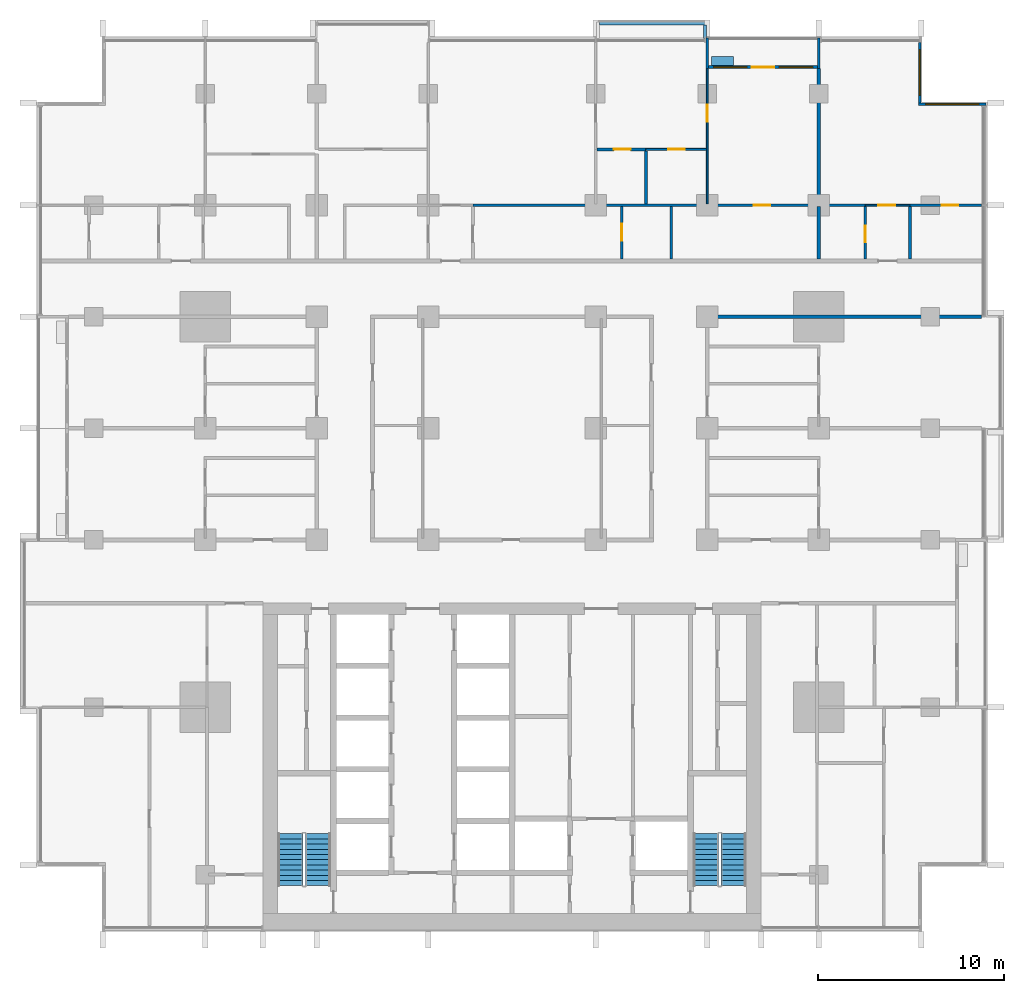
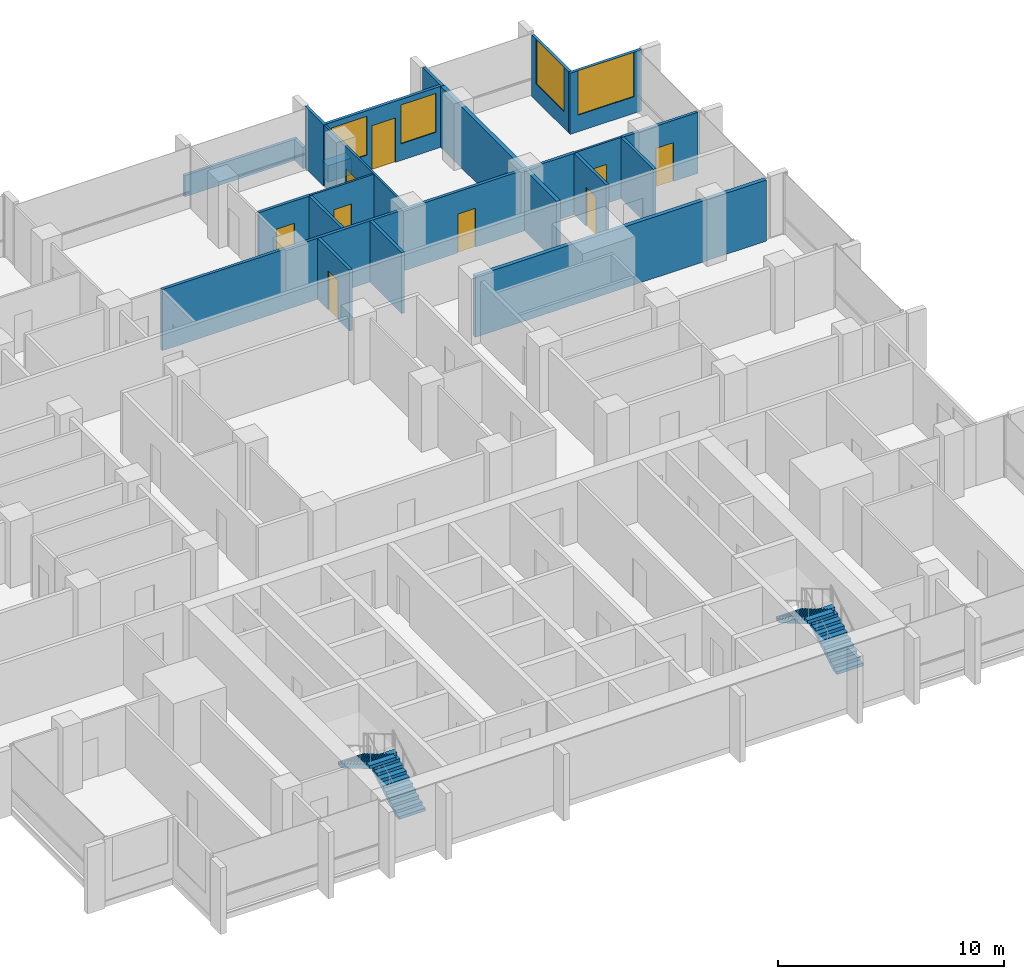
# One storey, part 12 of 17: 22 walls, 9 doors, 4 stair flights, 4 windows, 13 openings, 2 elements without a shape of their own.
"""IFC4 building model written with IfcOpenShell, lengths in metres."""

import ifcopenshell
import ifcopenshell.guid

model = None  # the IFC model being written
_history = None  # IfcOwnerHistory: only IFC2X3 demands one
_inside = {}  # id of a spatial element -> (the spatial element, [elements in it])
_under = {}  # id of a project, library or spatial element -> (it, [spatial elements below it])
_declared = {}  # id of a project -> (the project, [libraries it declares])
_typed = {}  # id of a type object -> (the type object, [elements of that type])
_made_of = {}  # id of a material, layer set ... -> (it, [elements and type objects made of it])


def new_model(schema):
    """Start an empty IFC model of exactly this schema.

    Asked for "IFC4X3", IfcOpenShell would pick the latest addendum, in which some entities
    have other attributes; the version numbers below select the first issue.
    IFC2X3 requires an IfcOwnerHistory on every rooted entity: one is made here for all.
    """
    global model, _history
    if schema == "IFC4X3":
        model = ifcopenshell.file(schema_version=(4, 3, 0, 0))
    else:
        model = ifcopenshell.file(schema=schema)
    _inside.clear()
    _under.clear()
    _declared.clear()
    _typed.clear()
    _made_of.clear()
    _history = None
    if model.schema == "IFC2X3":
        org = make("IfcOrganization", Name="unknown")
        user = make(
            "IfcPersonAndOrganization",
            ThePerson=make("IfcPerson", FamilyName="unknown"),
            TheOrganization=org,
        )
        app = make(
            "IfcApplication",
            ApplicationDeveloper=org,
            Version="unknown",
            ApplicationFullName="unknown",
            ApplicationIdentifier="unknown",
        )
        _history = make(
            "IfcOwnerHistory",
            OwningUser=user,
            OwningApplication=app,
            ChangeAction="ADDED",
            CreationDate=0,
        )
    return model


def make(cls, **values):
    """One entity of the class cls with the attributes given. An attribute that is None is left unset."""
    return model.create_entity(
        cls, **{name: value for name, value in values.items() if value is not None}
    )


def rooted(cls, **values):
    """An entity with a GlobalId (a new one), such as an element, a storey or a relation."""
    return make(cls, GlobalId=ifcopenshell.guid.new(), OwnerHistory=_history, **values)


def si_unit(unit_type, name, prefix=None):
    """IfcSIUnit, for example si_unit("LENGTHUNIT", "METRE", prefix="MILLI")."""
    return make("IfcSIUnit", UnitType=unit_type, Prefix=prefix, Name=name)


def assignment(units):
    """IfcUnitAssignment: the units of a project."""
    return None if units is None else make("IfcUnitAssignment", Units=units)


def point(xyz):
    """IfcCartesianPoint."""
    return None if xyz is None else make("IfcCartesianPoint", Coordinates=xyz)


def direction(xyz):
    """IfcDirection."""
    return None if xyz is None else make("IfcDirection", DirectionRatios=xyz)


def frame(location, z_axis=None, x_axis=None):
    """IfcAxis2Placement3D, a coordinate frame: its origin and axes. An axis left out is left unset."""
    return make(
        "IfcAxis2Placement3D",
        Location=point(location),
        Axis=direction(z_axis),
        RefDirection=direction(x_axis),
    )


def frame_2d(location, x_axis=None):
    """IfcAxis2Placement2D, a coordinate frame in the plane: its origin and x axis."""
    return make(
        "IfcAxis2Placement2D", Location=point(location), RefDirection=direction(x_axis)
    )


def origin():
    """The frame at (0, 0, 0) with its axes left unset."""
    return frame((0.0, 0.0, 0.0))


def place(relative_to, where):
    """IfcLocalPlacement: puts the frame where relative to a parent placement (None: the world)."""
    return make(
        "IfcLocalPlacement", PlacementRelTo=relative_to, RelativePlacement=where
    )


def context(
    kind, dimensions, precision=None, world=None, true_north=None, identifier=None
):
    """IfcGeometricRepresentationContext, for example the 3D "Model" context."""
    return make(
        "IfcGeometricRepresentationContext",
        ContextIdentifier=identifier,
        ContextType=kind,
        CoordinateSpaceDimension=dimensions,
        Precision=precision,
        WorldCoordinateSystem=world,
        TrueNorth=true_north,
    )


def subcontext(parent, identifier, kind, view, scale=None):
    """IfcGeometricRepresentationSubContext, for example "Body" below "Model"."""
    return make(
        "IfcGeometricRepresentationSubContext",
        ContextIdentifier=identifier,
        ContextType=kind,
        ParentContext=parent,
        TargetScale=scale,
        TargetView=view,
    )


def project(units=None, contexts=None):
    """IfcProject with its units and contexts."""
    return rooted(
        "IfcProject",
        Name="project",
        RepresentationContexts=contexts,
        UnitsInContext=assignment(units),
    )


def spatial(cls, under=None, at=None, **own):
    """A site, building, storey or space (cls), placed at a placement, below another one or the project."""
    s = rooted(cls, ObjectPlacement=at, **own)
    if under is not None:
        _under.setdefault(under.id(), (under, []))[1].append(s)
    return s


def polyline(points):
    """IfcPolyline through the points."""
    return make("IfcPolyline", Points=[point(p) for p in points])


def profile(cls, at=None, kind="AREA", **sizes):
    """A parametric profile (cls). Its sizes go by their IFC names, for example OverallWidth=200.0."""
    return make(cls, ProfileType=kind, Position=at, **sizes)


def rectangle(**sizes):
    """IfcRectangleProfileDef."""
    return profile("IfcRectangleProfileDef", **sizes)


def outline(outer, holes=None, kind="AREA"):
    """IfcArbitraryClosedProfileDef: a profile drawn as a closed curve; with holes, ...WithVoids."""
    if holes is None:
        return make("IfcArbitraryClosedProfileDef", ProfileType=kind, OuterCurve=outer)
    return make(
        "IfcArbitraryProfileDefWithVoids",
        ProfileType=kind,
        OuterCurve=outer,
        InnerCurves=holes,
    )


def extrude(swept, where, along, depth):
    """IfcExtrudedAreaSolid: the profile swept, set in the frame where, extruded along a direction by depth."""
    return make(
        "IfcExtrudedAreaSolid",
        SweptArea=swept,
        Position=where,
        ExtrudedDirection=direction(along),
        Depth=depth,
    )


def shape(context_of_items, identifier, shape_type, items):
    """IfcShapeRepresentation: the items that make up one representation, for example the "Body"."""
    return make(
        "IfcShapeRepresentation",
        ContextOfItems=context_of_items,
        RepresentationIdentifier=identifier,
        RepresentationType=shape_type,
        Items=items,
    )


def material(Name=None, Category=None):
    """IfcMaterial."""
    return make("IfcMaterial", Name=Name, Category=Category)


def layer(
    of_material, thickness, ventilated=None, Name=None, Category=None, Priority=None
):
    """IfcMaterialLayer: one layer of a wall or slab, of a material (None: an air gap)."""
    return make(
        "IfcMaterialLayer",
        Material=of_material,
        LayerThickness=thickness,
        IsVentilated=ventilated,
        Name=Name,
        Category=Category,
        Priority=Priority,
    )


def layer_set(layers, Name=None):
    """IfcMaterialLayerSet."""
    return make("IfcMaterialLayerSet", MaterialLayers=layers, LayerSetName=Name)


def made_of(thing, what):
    """Note that an element or type object is made of a material, layer set ...; save() writes the relation."""
    if what is not None:
        _made_of.setdefault(what.id(), (what, []))[1].append(thing)
    return thing


def type_object(cls, material=None, **own):
    """A type object (cls), such as IfcWallType, which elements share."""
    return made_of(rooted(cls, **own), material)


def element(
    cls,
    number,
    at=None,
    inside=None,
    cuts=None,
    type_object=None,
    material=None,
    context=None,
    identifier="Body",
    shape_type=None,
    held_by="IfcProductDefinitionShape",
    body=None,
    shapes=None,
    **own,
):
    """One element of the class cls, such as IfcWall. Its Tag is "e" and its number.

    at: its placement. inside: the storey or other place that contains it. cuts: it is an
    opening in that element (IfcRelVoidsElement). A single representation is given by context,
    identifier, shape_type and body (its items); several are given by shapes. held_by: the class
    of the entity that holds the representations. save() writes the other relations.
    """
    e = rooted(cls, Tag="e%d" % number, ObjectPlacement=at, **own)
    if body is not None:
        shapes = [shape(context, identifier, shape_type, body)]
    if shapes is not None:
        e.Representation = make(held_by, Representations=shapes)
    if inside is not None:
        _inside.setdefault(inside.id(), (inside, []))[1].append(e)
    if cuts is not None:
        rooted(
            "IfcRelVoidsElement", RelatingBuildingElement=cuts, RelatedOpeningElement=e
        )
    if type_object is not None:
        _typed.setdefault(type_object.id(), (type_object, []))[1].append(e)
    return made_of(e, material)


def fill(opening, filler):
    """IfcRelFillsElement: the door or window that sits in an opening."""
    return rooted(
        "IfcRelFillsElement",
        RelatingOpeningElement=opening,
        RelatedBuildingElement=filler,
    )


def aggregate(whole, parts):
    """IfcRelAggregates: a whole, such as a stair, and the parts it consists of."""
    return rooted("IfcRelAggregates", RelatingObject=whole, RelatedObjects=parts)


def save(model, path):
    """Write the relations noted so far, then the file.

    IfcRelAggregates (storeys below a building ...), IfcRelContainedInSpatialStructure (elements
    in a storey), IfcRelDefinesByType, IfcRelAssociatesMaterial and IfcRelDeclares: one each for
    every whole, place, type object, material and project.
    """
    for whole, parts in _under.values():
        aggregate(whole, parts)
    for where, things in _inside.values():
        rooted(
            "IfcRelContainedInSpatialStructure",
            RelatedElements=things,
            RelatingStructure=where,
        )
    for kind, things in _typed.values():
        rooted("IfcRelDefinesByType", RelatedObjects=things, RelatingType=kind)
    for what, things in _made_of.values():
        rooted("IfcRelAssociatesMaterial", RelatedObjects=things, RelatingMaterial=what)
    for by, libraries in _declared.values():
        rooted("IfcRelDeclares", RelatingContext=by, RelatedDefinitions=libraries)
    model.write(path)


model = new_model("IFC4")

# Units and contexts
model_context = context("Model", 3, precision=1e-05, world=origin(), true_north=direction((0.0, 1.0)))
body_context = subcontext(model_context, "Body", "Model", "MODEL_VIEW")
ifc_project = project(units=[si_unit("LENGTHUNIT", "METRE"), si_unit("AREAUNIT", "SQUARE_METRE"), si_unit("VOLUMEUNIT", "CUBIC_METRE"), si_unit("PLANEANGLEUNIT", "RADIAN"), si_unit("MASSUNIT", "GRAM", prefix="KILO")], contexts=[model_context])

# Site, building, storey
site_placement = place(None, origin())
site = spatial("IfcSite", under=ifc_project, at=site_placement, CompositionType="ELEMENT")
building_placement = place(site_placement, origin())
building = spatial("IfcBuilding", under=site, at=building_placement, Name="Finial Court Residences", CompositionType="ELEMENT")
storey_placement = place(building_placement, frame((0.0, 0.0, 102.699951171875)))
storey = spatial("IfcBuildingStorey", under=building, at=storey_placement, Name="L25", CompositionType="ELEMENT", Elevation=102.699951171875)

# Walls
ifc_material_1 = material(Name="Gypsum board")
ifc_layer_1 = layer(ifc_material_1, 0.02490234375)
ifc_material_2 = material(Name="Acoustic mineral wool in double frame")
ifc_layer_2 = layer(ifc_material_2, 0.14990234375)
ifc_layer_3 = layer(ifc_material_1, 0.02490234375)
ifc_layer_set_1 = layer_set([ifc_layer_1, ifc_layer_2, ifc_layer_3], Name="Acoustic party wall 200, 1 hour")
wall_type_1 = type_object("IfcWallType", Name="Acoustic party wall 200, 1 hour", PredefinedType="PARTITIONING", material=ifc_layer_set_1)
wall_1_placement = place(storey_placement, frame((16.5, 10.60009765625, 0.0), z_axis=(0.0, 0.0, 1.0), x_axis=(0.0, 1.0, 0.0)))
element("IfcWall", 1, at=wall_1_placement, inside=storey, type_object=wall_type_1, Name="Partition L25-076", PredefinedType="PARTITIONING", context=body_context, shape_type="SweptSolid", body=[
    extrude(rectangle(XDim=2.824951171875, YDim=0.199951171875, at=frame_2d((1.41259765625, 0.0))), origin(), (0.0, 0.0, 1.0), 3.300048828125),
])
wall_2_placement = place(storey_placement, frame((16.5, 13.574951171875, 0.0), z_axis=(0.0, 0.0, 1.0), x_axis=(0.0, 1.0, 0.0)))
element("IfcWall", 2, at=wall_2_placement, inside=storey, type_object=wall_type_1, Name="Partition L25-077", PredefinedType="PARTITIONING", context=body_context, shape_type="SweptSolid", body=[
    extrude(rectangle(XDim=7.275146484375, YDim=0.199951171875, at=frame_2d((3.6376953125, 0.0))), origin(), (0.0, 0.0, 1.0), 3.300048828125),
])
ifc_layer_4 = layer(ifc_material_1, 0.02490234375)
ifc_layer_5 = layer(ifc_material_2, 0.14990234375)
ifc_layer_6 = layer(ifc_material_1, 0.02490234375)
ifc_layer_set_2 = layer_set([ifc_layer_4, ifc_layer_5, ifc_layer_6], Name="Corridor wall 200, 1 hour")
wall_type_2 = type_object("IfcWallType", Name="Corridor wall 200, 1 hour", PredefinedType="PARTITIONING", material=ifc_layer_set_2)
wall_3_placement = place(storey_placement, frame((10.39990234375, 7.5, 0.0), z_axis=(0.0, 0.0, 1.0), x_axis=(1.0, 0.0, 0.0)))
element("IfcWall", 3, at=wall_3_placement, inside=storey, type_object=wall_type_2, Name="Partition L25-026", PredefinedType="PARTITIONING", context=body_context, shape_type="SweptSolid", body=[
    extrude(rectangle(XDim=14.85009765625, YDim=0.199951171875, at=frame_2d((7.425048828125, 0.0))), origin(), (0.0, 0.0, 1.0), 3.300048828125),
])

# Wall, opening, door
ifc_layer_7 = layer(ifc_material_1, 0.012451171875)
ifc_material_3 = material(Name="Mineral wool in light-gauge frame")
ifc_layer_8 = layer(ifc_material_3, 0.074951171875)
ifc_layer_9 = layer(ifc_material_1, 0.012451171875)
ifc_layer_set_3 = layer_set([ifc_layer_7, ifc_layer_8, ifc_layer_9], Name="Gypsum board partition 100")
wall_type_3 = type_object("IfcWallType", Name="Gypsum board partition 100", PredefinedType="PARTITIONING", material=ifc_layer_set_3)
wall_4_placement = place(storey_placement, frame((19.0, 13.5, 0.0), z_axis=(0.0, 0.0, 1.0), x_axis=(1.0, 0.0, 0.0)))
wall_4 = element("IfcWall", 4, at=wall_4_placement, inside=storey, type_object=wall_type_3, Name="Partition L25-031", PredefinedType="PARTITIONING", context=body_context, shape_type="SweptSolid", body=[
    extrude(rectangle(XDim=2.39990234375, YDim=0.10009765625, at=frame_2d((1.199951171875, 0.0))), origin(), (0.0, 0.0, 1.0), 3.300048828125),
])
opening_1_placement = place(wall_4_placement, frame((0.699951171875, 0.0, 0.0)))
opening_1 = element("IfcOpeningElement", 5, at=opening_1_placement, cuts=wall_4, Name="Opening L25-D015", PredefinedType="OPENING", context=body_context, shape_type="SweptSolid", body=[
    extrude(rectangle(XDim=0.89990234375, YDim=2.10009765625, at=frame_2d((0.449951171875, 1.050048828125))), frame((0.0, 0.06005859375, 0.0), z_axis=(0.0, -1.0, 0.0), x_axis=(1.0, 0.0, 0.0)), (0.0, 0.0, 1.0), 0.1201171875),
])
ifc_material_4 = material(Name="Timber door leaf in timber frame", Category="wood")
door_type_1 = type_object("IfcDoorType", Name="Door set 900 x 2100", OperationType="SINGLE_SWING_LEFT", PredefinedType="DOOR", material=ifc_material_4)
door_1_placement = place(opening_1_placement, origin())
door_1 = element("IfcDoor", 6, at=door_1_placement, inside=storey, type_object=door_type_1, Name="Door L25-D015", OperationType="SINGLE_SWING_LEFT", OverallHeight=2.10009765625, OverallWidth=0.89990234375, PredefinedType="DOOR", context=body_context, shape_type="SweptSolid", body=[
    extrude(rectangle(XDim=0.89990234375, YDim=2.10009765625, at=frame_2d((0.449951171875, 1.050048828125))), frame((0.0, 0.02490234375, 0.0), z_axis=(0.0, -1.0, 0.0), x_axis=(1.0, 0.0, 0.0)), (0.0, 0.0, 1.0), 0.050048828125),
])
fill(opening_1, door_1)

wall_5_placement = place(storey_placement, frame((7.199951171875, 16.5, 0.0), z_axis=(0.0, 0.0, 1.0), x_axis=(1.0, 0.0, 0.0)))
wall_5 = element("IfcWall", 7, at=wall_5_placement, inside=storey, type_object=wall_type_3, Name="Partition L25-039", PredefinedType="PARTITIONING", context=body_context, shape_type="SweptSolid", body=[
    extrude(rectangle(XDim=3.25, YDim=0.10009765625, at=frame_2d((1.625, 0.0))), origin(), (0.0, 0.0, 1.0), 3.300048828125),
])
opening_2_placement = place(wall_5_placement, frame((1.199951171875, 0.0, 0.0)))
opening_2 = element("IfcOpeningElement", 8, at=opening_2_placement, cuts=wall_5, Name="Opening L25-D020", PredefinedType="OPENING", context=body_context, shape_type="SweptSolid", body=[
    extrude(rectangle(XDim=0.89990234375, YDim=2.10009765625, at=frame_2d((0.449951171875, 1.050048828125))), frame((0.0, 0.06005859375, 0.0), z_axis=(0.0, -1.0, 0.0), x_axis=(1.0, 0.0, 0.0)), (0.0, 0.0, 1.0), 0.1201171875),
])
door_2_placement = place(opening_2_placement, origin())
door_2 = element("IfcDoor", 9, at=door_2_placement, inside=storey, type_object=door_type_1, Name="Door L25-D020", OperationType="SINGLE_SWING_LEFT", OverallHeight=2.10009765625, OverallWidth=0.89990234375, PredefinedType="DOOR", context=body_context, shape_type="SweptSolid", body=[
    extrude(rectangle(XDim=0.89990234375, YDim=2.10009765625, at=frame_2d((0.449951171875, 1.050048828125))), frame((0.0, 0.02490234375, 0.0), z_axis=(0.0, -1.0, 0.0), x_axis=(1.0, 0.0, 0.0)), (0.0, 0.0, 1.0), 0.050048828125),
])
fill(opening_2, door_2)

wall_6_placement = place(storey_placement, frame((10.5, 13.574951171875, 0.0), z_axis=(0.0, 0.0, 1.0), x_axis=(0.0, 1.0, 0.0)))
wall_6 = element("IfcWall", 10, at=wall_6_placement, inside=storey, type_object=wall_type_3, Name="Partition L25-070", PredefinedType="PARTITIONING", context=body_context, shape_type="SweptSolid", body=[
    extrude(rectangle(XDim=7.275146484375, YDim=0.10009765625, at=frame_2d((3.6376953125, 0.0))), origin(), (0.0, 0.0, 1.0), 3.300048828125),
])
opening_3_placement = place(wall_6_placement, frame((4.425048828125, 0.0, 0.0)))
opening_3 = element("IfcOpeningElement", 11, at=opening_3_placement, cuts=wall_6, Name="Opening L25-D043", PredefinedType="OPENING", context=body_context, shape_type="SweptSolid", body=[
    extrude(rectangle(XDim=0.89990234375, YDim=2.10009765625, at=frame_2d((0.449951171875, 1.050048828125))), frame((0.0, 0.06005859375, 0.0), z_axis=(0.0, -1.0, 0.0), x_axis=(1.0, 0.0, 0.0)), (0.0, 0.0, 1.0), 0.1201171875),
])
door_3_placement = place(opening_3_placement, origin())
door_3 = element("IfcDoor", 12, at=door_3_placement, inside=storey, type_object=door_type_1, Name="Door L25-D043", OperationType="SINGLE_SWING_RIGHT", OverallHeight=2.10009765625, OverallWidth=0.89990234375, PredefinedType="DOOR", context=body_context, shape_type="SweptSolid", body=[
    extrude(rectangle(XDim=0.89990234375, YDim=2.10009765625, at=frame_2d((0.449951171875, 1.050048828125))), frame((0.0, 0.02490234375, 0.0), z_axis=(0.0, -1.0, 0.0), x_axis=(1.0, 0.0, 0.0)), (0.0, 0.0, 1.0), 0.050048828125),
])
fill(opening_3, door_3)

ifc_material_5 = material(Name="Moisture-resistant gypsum board")
ifc_layer_10 = layer(ifc_material_5, 0.012451171875)
ifc_layer_11 = layer(ifc_material_3, 0.125)
ifc_layer_12 = layer(ifc_material_5, 0.012451171875)
ifc_layer_set_4 = layer_set([ifc_layer_10, ifc_layer_11, ifc_layer_12], Name="Gypsum board wet-area partition 150")
wall_type_4 = type_object("IfcWallType", Name="Gypsum board wet-area partition 150", PredefinedType="PARTITIONING", material=ifc_layer_set_4)
wall_7_placement = place(storey_placement, frame((-2.10009765625, 13.5, 0.0), z_axis=(0.0, 0.0, 1.0), x_axis=(1.0, 0.0, 0.0)))
wall_7 = element("IfcWall", 13, at=wall_7_placement, inside=storey, type_object=wall_type_4, Name="Partition L25-035", PredefinedType="PARTITIONING", context=body_context, shape_type="SweptSolid", body=[
    extrude(rectangle(XDim=21.10009765625, YDim=0.14990234375, at=frame_2d((10.550048828125, 0.0))), origin(), (0.0, 0.0, 1.0), 3.300048828125),
])
opening_4_placement = place(wall_7_placement, frame((15.10009765625, 0.0, 0.0)))
opening_4 = element("IfcOpeningElement", 14, at=opening_4_placement, cuts=wall_7, Name="Opening L25-D016", PredefinedType="OPENING", context=body_context, shape_type="SweptSolid", body=[
    extrude(rectangle(XDim=0.89990234375, YDim=2.10009765625, at=frame_2d((0.449951171875, 1.050048828125))), frame((0.0, 0.0849609375, 0.0), z_axis=(0.0, -1.0, 0.0), x_axis=(1.0, 0.0, 0.0)), (0.0, 0.0, 1.0), 0.169921875),
])
door_4_placement = place(opening_4_placement, origin())
door_4 = element("IfcDoor", 15, at=door_4_placement, inside=storey, type_object=door_type_1, Name="Door L25-D016", OperationType="SINGLE_SWING_RIGHT", OverallHeight=2.10009765625, OverallWidth=0.89990234375, PredefinedType="DOOR", context=body_context, shape_type="SweptSolid", body=[
    extrude(rectangle(XDim=0.89990234375, YDim=2.10009765625, at=frame_2d((0.449951171875, 1.050048828125))), frame((0.0, 0.02490234375, 0.0), z_axis=(0.0, -1.0, 0.0), x_axis=(1.0, 0.0, 0.0)), (0.0, 0.0, 1.0), 0.050048828125),
])
fill(opening_4, door_4)

wall_8_placement = place(storey_placement, frame((21.39990234375, 13.5, 0.0), z_axis=(0.0, 0.0, 1.0), x_axis=(1.0, 0.0, 0.0)))
wall_8 = element("IfcWall", 16, at=wall_8_placement, inside=storey, type_object=wall_type_4, Name="Partition L25-036", PredefinedType="PARTITIONING", context=body_context, shape_type="SweptSolid", body=[
    extrude(rectangle(XDim=3.85009765625, YDim=0.14990234375, at=frame_2d((1.925048828125, 0.0))), origin(), (0.0, 0.0, 1.0), 3.300048828125),
])
opening_5_placement = place(wall_8_placement, frame((1.699951171875, 0.0, 0.0)))
opening_5 = element("IfcOpeningElement", 17, at=opening_5_placement, cuts=wall_8, Name="Opening L25-D017", PredefinedType="OPENING", context=body_context, shape_type="SweptSolid", body=[
    extrude(rectangle(XDim=0.89990234375, YDim=2.10009765625, at=frame_2d((0.449951171875, 1.050048828125))), frame((0.0, 0.0849609375, 0.0), z_axis=(0.0, -1.0, 0.0), x_axis=(1.0, 0.0, 0.0)), (0.0, 0.0, 1.0), 0.169921875),
])
door_5_placement = place(opening_5_placement, origin())
door_5 = element("IfcDoor", 18, at=door_5_placement, inside=storey, type_object=door_type_1, Name="Door L25-D017", OperationType="SINGLE_SWING_RIGHT", OverallHeight=2.10009765625, OverallWidth=0.89990234375, PredefinedType="DOOR", context=body_context, shape_type="SweptSolid", body=[
    extrude(rectangle(XDim=0.89990234375, YDim=2.10009765625, at=frame_2d((0.449951171875, 1.050048828125))), frame((0.0, 0.02490234375, 0.0), z_axis=(0.0, -1.0, 0.0), x_axis=(1.0, 0.0, 0.0)), (0.0, 0.0, 1.0), 0.050048828125),
])
fill(opening_5, door_5)

wall_9_placement = place(storey_placement, frame((4.574951171875, 16.5, 0.0), z_axis=(0.0, 0.0, 1.0), x_axis=(1.0, 0.0, 0.0)))
wall_9 = element("IfcWall", 19, at=wall_9_placement, inside=storey, type_object=wall_type_4, Name="Partition L25-040", PredefinedType="PARTITIONING", context=body_context, shape_type="SweptSolid", body=[
    extrude(rectangle(XDim=2.625, YDim=0.14990234375, at=frame_2d((1.3125, 0.0))), origin(), (0.0, 0.0, 1.0), 3.300048828125),
])
opening_6_placement = place(wall_9_placement, frame((0.89990234375, 0.0, 0.0)))
opening_6 = element("IfcOpeningElement", 20, at=opening_6_placement, cuts=wall_9, Name="Opening L25-D021", PredefinedType="OPENING", context=body_context, shape_type="SweptSolid", body=[
    extrude(rectangle(XDim=0.89990234375, YDim=2.10009765625, at=frame_2d((0.449951171875, 1.050048828125))), frame((0.0, 0.0849609375, 0.0), z_axis=(0.0, -1.0, 0.0), x_axis=(1.0, 0.0, 0.0)), (0.0, 0.0, 1.0), 0.169921875),
])
door_6_placement = place(opening_6_placement, origin())
door_6 = element("IfcDoor", 21, at=door_6_placement, inside=storey, type_object=door_type_1, Name="Door L25-D021", OperationType="SINGLE_SWING_RIGHT", OverallHeight=2.10009765625, OverallWidth=0.89990234375, PredefinedType="DOOR", context=body_context, shape_type="SweptSolid", body=[
    extrude(rectangle(XDim=0.89990234375, YDim=2.10009765625, at=frame_2d((0.449951171875, 1.050048828125))), frame((0.0, 0.02490234375, 0.0), z_axis=(0.0, -1.0, 0.0), x_axis=(1.0, 0.0, 0.0)), (0.0, 0.0, 1.0), 0.050048828125),
])
fill(opening_6, door_6)

wall_10_placement = place(storey_placement, frame((5.89990234375, 10.60009765625, 0.0), z_axis=(0.0, 0.0, 1.0), x_axis=(0.0, 1.0, 0.0)))
wall_10 = element("IfcWall", 22, at=wall_10_placement, inside=storey, type_object=wall_type_4, Name="Partition L25-065", PredefinedType="PARTITIONING", context=body_context, shape_type="SweptSolid", body=[
    extrude(rectangle(XDim=2.824951171875, YDim=0.14990234375, at=frame_2d((1.41259765625, 0.0))), origin(), (0.0, 0.0, 1.0), 3.300048828125),
])
opening_7_placement = place(wall_10_placement, frame((1.0, 0.0, 0.0)))
opening_7 = element("IfcOpeningElement", 23, at=opening_7_placement, cuts=wall_10, Name="Opening L25-D039", PredefinedType="OPENING", context=body_context, shape_type="SweptSolid", body=[
    extrude(rectangle(XDim=0.89990234375, YDim=2.10009765625, at=frame_2d((0.449951171875, 1.050048828125))), frame((0.0, 0.0849609375, 0.0), z_axis=(0.0, -1.0, 0.0), x_axis=(1.0, 0.0, 0.0)), (0.0, 0.0, 1.0), 0.169921875),
])
door_7_placement = place(opening_7_placement, origin())
door_7 = element("IfcDoor", 24, at=door_7_placement, inside=storey, type_object=door_type_1, Name="Door L25-D039", OperationType="SINGLE_SWING_LEFT", OverallHeight=2.10009765625, OverallWidth=0.89990234375, PredefinedType="DOOR", context=body_context, shape_type="SweptSolid", body=[
    extrude(rectangle(XDim=0.89990234375, YDim=2.10009765625, at=frame_2d((0.449951171875, 1.050048828125))), frame((0.0, 0.02490234375, 0.0), z_axis=(0.0, -1.0, 0.0), x_axis=(1.0, 0.0, 0.0)), (0.0, 0.0, 1.0), 0.050048828125),
])
fill(opening_7, door_7)

# Walls
wall_11_placement = place(storey_placement, frame((7.199951171875, 13.574951171875, 0.0), z_axis=(0.0, 0.0, 1.0), x_axis=(0.0, 1.0, 0.0)))
element("IfcWall", 25, at=wall_11_placement, inside=storey, type_object=wall_type_4, Name="Partition L25-066", PredefinedType="PARTITIONING", context=body_context, shape_type="SweptSolid", body=[
    extrude(rectangle(XDim=2.85009765625, YDim=0.14990234375, at=frame_2d((1.425048828125, 0.0))), origin(), (0.0, 0.0, 1.0), 3.300048828125),
])
wall_12_placement = place(storey_placement, frame((8.56689453125, 10.60009765625, 0.0), z_axis=(0.0, 0.0, 1.0), x_axis=(0.0, 1.0, 0.0)))
element("IfcWall", 26, at=wall_12_placement, inside=storey, type_object=wall_type_4, Name="Partition L25-068", PredefinedType="PARTITIONING", context=body_context, shape_type="SweptSolid", body=[
    extrude(rectangle(XDim=2.824951171875, YDim=0.14990234375, at=frame_2d((1.41259765625, 0.0))), origin(), (0.0, 0.0, 1.0), 3.300048828125),
])

# Wall, opening, door
wall_13_placement = place(storey_placement, frame((19.0, 10.60009765625, 0.0), z_axis=(0.0, 0.0, 1.0), x_axis=(0.0, 1.0, 0.0)))
wall_13 = element("IfcWall", 27, at=wall_13_placement, inside=storey, type_object=wall_type_4, Name="Partition L25-080", PredefinedType="PARTITIONING", context=body_context, shape_type="SweptSolid", body=[
    extrude(rectangle(XDim=2.824951171875, YDim=0.14990234375, at=frame_2d((1.41259765625, 0.0))), origin(), (0.0, 0.0, 1.0), 3.300048828125),
])
opening_8_placement = place(wall_13_placement, frame((0.89990234375, 0.0, 0.0)))
opening_8 = element("IfcOpeningElement", 28, at=opening_8_placement, cuts=wall_13, Name="Opening L25-D049", PredefinedType="OPENING", context=body_context, shape_type="SweptSolid", body=[
    extrude(rectangle(XDim=0.89990234375, YDim=2.10009765625, at=frame_2d((0.449951171875, 1.050048828125))), frame((0.0, 0.0849609375, 0.0), z_axis=(0.0, -1.0, 0.0), x_axis=(1.0, 0.0, 0.0)), (0.0, 0.0, 1.0), 0.169921875),
])
door_8_placement = place(opening_8_placement, origin())
door_8 = element("IfcDoor", 29, at=door_8_placement, inside=storey, type_object=door_type_1, Name="Door L25-D049", OperationType="SINGLE_SWING_LEFT", OverallHeight=2.10009765625, OverallWidth=0.89990234375, PredefinedType="DOOR", context=body_context, shape_type="SweptSolid", body=[
    extrude(rectangle(XDim=0.89990234375, YDim=2.10009765625, at=frame_2d((0.449951171875, 1.050048828125))), frame((0.0, 0.02490234375, 0.0), z_axis=(0.0, -1.0, 0.0), x_axis=(1.0, 0.0, 0.0)), (0.0, 0.0, 1.0), 0.050048828125),
])
fill(opening_8, door_8)

# Walls
wall_14_placement = place(storey_placement, frame((21.39990234375, 10.60009765625, 0.0), z_axis=(0.0, 0.0, 1.0), x_axis=(0.0, 1.0, 0.0)))
element("IfcWall", 30, at=wall_14_placement, inside=storey, type_object=wall_type_4, Name="Partition L25-084", PredefinedType="PARTITIONING", context=body_context, shape_type="SweptSolid", body=[
    extrude(rectangle(XDim=2.824951171875, YDim=0.14990234375, at=frame_2d((1.41259765625, 0.0))), origin(), (0.0, 0.0, 1.0), 3.300048828125),
])
ifc_material_6 = material(Name="Concrete C35/45", Category="concrete")
ifc_layer_13 = layer(ifc_material_6, 0.14990234375)
ifc_layer_set_5 = layer_set([ifc_layer_13], Name="Ledge parapet, Concrete C35/45 150")
wall_type_5 = type_object("IfcWallType", Name="Ledge parapet, Concrete C35/45 150", PredefinedType="PARAPET", material=ifc_layer_set_5)
wall_15_placement = place(storey_placement, frame((4.699951171875, 23.27490234375, 0.0), z_axis=(0.0, 0.0, 1.0), x_axis=(1.0, 0.0, 0.0)))
element("IfcWall", 31, at=wall_15_placement, inside=storey, type_object=wall_type_5, Name="E-L25-LED1-P2", PredefinedType="PARAPET", context=body_context, shape_type="SweptSolid", body=[
    extrude(rectangle(XDim=5.75, YDim=0.14990234375, at=frame_2d((2.875, 0.0))), origin(), (0.0, 0.0, 1.0), 1.150146484375),
])
wall_16_placement = place(storey_placement, frame((10.375, 23.199951171875, 0.0), z_axis=(0.0, 0.0, 1.0), x_axis=(0.0, -1.0, 0.0)))
element("IfcWall", 32, at=wall_16_placement, inside=storey, type_object=wall_type_5, Name="E-L25-LED1-P3", PredefinedType="PARAPET", context=body_context, shape_type="SweptSolid", body=[
    extrude(rectangle(XDim=0.739990234375, YDim=0.14990234375, at=frame_2d((0.3701171875, 0.0))), origin(), (0.0, 0.0, 1.0), 1.150146484375),
])

# Wall, opening, window
ifc_material_7 = material(Name="Natural limestone", Category="masonry")
ifc_layer_14 = layer(ifc_material_7, 0.14990234375)
ifc_layer_set_6 = layer_set([ifc_layer_14], Name="Limestone clad wall 150")
wall_type_6 = type_object("IfcWallType", Name="Limestone clad wall 150", PredefinedType="SOLIDWALL", material=ifc_layer_set_6)
wall_17_placement = place(storey_placement, frame((21.925048828125, 22.25, 0.0), z_axis=(0.0, 0.0, 1.0), x_axis=(0.0, -1.0, 0.0)))
wall_17 = element("IfcWall", 33, at=wall_17_placement, inside=storey, type_object=wall_type_6, Name="E-L25-NWE20", PredefinedType="SOLIDWALL", context=body_context, shape_type="SweptSolid", body=[
    extrude(rectangle(XDim=3.25, YDim=0.14990234375, at=frame_2d((1.625, 0.0))), origin(), (0.0, 0.0, 1.0), 3.300048828125),
])
opening_9_placement = place(wall_17_placement, frame((0.39990234375, 0.0, 0.89990234375)))
opening_9 = element("IfcOpeningElement", 34, at=opening_9_placement, cuts=wall_17, Name="Opening WE25-07", PredefinedType="OPENING", context=body_context, shape_type="SweptSolid", body=[
    extrude(rectangle(XDim=2.449951171875, YDim=2.39990234375, at=frame_2d((1.22509765625, 1.199951171875))), frame((0.0, 0.0849609375, 0.0), z_axis=(0.0, -1.0, 0.0), x_axis=(1.0, 0.0, 0.0)), (0.0, 0.0, 1.0), 0.169921875),
])
ifc_material_8 = material(Name="Clear low-e glass", Category="glass")
window_type_1 = type_object("IfcWindowType", Name="Corner window 2450 x 2400", PartitioningType="SINGLE_PANEL", PredefinedType="WINDOW", material=ifc_material_8)
window_1_placement = place(opening_9_placement, origin())
window_1 = element("IfcWindow", 35, at=window_1_placement, inside=storey, type_object=window_type_1, Name="E-L25-NWE20-W1", OverallHeight=2.39990234375, OverallWidth=2.449951171875, PartitioningType="SINGLE_PANEL", PredefinedType="WINDOW", context=body_context, shape_type="SweptSolid", body=[
    extrude(rectangle(XDim=2.449951171875, YDim=2.39990234375, at=frame_2d((1.22509765625, 1.199951171875))), frame((0.0, 0.030029296875, 0.0), z_axis=(0.0, -1.0, 0.0), x_axis=(1.0, 0.0, 0.0)), (0.0, 0.0, 1.0), 0.06005859375),
])
fill(opening_9, window_1)

wall_18_placement = place(storey_placement, frame((21.85009765625, 18.925048828125, 0.0), z_axis=(0.0, 0.0, 1.0), x_axis=(1.0, 0.0, 0.0)))
wall_18 = element("IfcWall", 36, at=wall_18_placement, inside=storey, type_object=wall_type_6, Name="E-L25-NWN21", PredefinedType="SOLIDWALL", context=body_context, shape_type="SweptSolid", body=[
    extrude(rectangle(XDim=3.64990234375, YDim=0.14990234375, at=frame_2d((1.824951171875, 0.0))), origin(), (0.0, 0.0, 1.0), 3.300048828125),
])
opening_10_placement = place(wall_18_placement, frame((0.39990234375, 0.0, 0.89990234375)))
opening_10 = element("IfcOpeningElement", 37, at=opening_10_placement, cuts=wall_18, Name="Opening WE25-08", PredefinedType="OPENING", context=body_context, shape_type="SweptSolid", body=[
    extrude(rectangle(XDim=2.85009765625, YDim=2.39990234375, at=frame_2d((1.425048828125, 1.199951171875))), frame((0.0, 0.0849609375, 0.0), z_axis=(0.0, -1.0, 0.0), x_axis=(1.0, 0.0, 0.0)), (0.0, 0.0, 1.0), 0.169921875),
])
window_type_2 = type_object("IfcWindowType", Name="Corner window 2850 x 2400", PartitioningType="SINGLE_PANEL", PredefinedType="WINDOW", material=ifc_material_8)
window_2_placement = place(opening_10_placement, origin())
window_2 = element("IfcWindow", 38, at=window_2_placement, inside=storey, type_object=window_type_2, Name="E-L25-NWN21-W1", OverallHeight=2.39990234375, OverallWidth=2.85009765625, PartitioningType="SINGLE_PANEL", PredefinedType="WINDOW", context=body_context, shape_type="SweptSolid", body=[
    extrude(rectangle(XDim=2.85009765625, YDim=2.39990234375, at=frame_2d((1.425048828125, 1.199951171875))), frame((0.0, 0.030029296875, 0.0), z_axis=(0.0, -1.0, 0.0), x_axis=(1.0, 0.0, 0.0)), (0.0, 0.0, 1.0), 0.06005859375),
])
fill(opening_10, window_2)

# Walls
for number, where, z_axis, x_axis, name in (
    (39, (10.5, 20.85009765625, 0.0), (0.0, 0.0, 1.0), (0.0, 1.0, 0.0), "E-L25-BALN6-P1"),
    (40, (16.5, 20.85009765625, 0.0), (0.0, 0.0, 1.0), (0.0, 1.0, 0.0), "E-L25-BALN6-P2"),
):
    element("IfcWall", number, at=place(storey_placement, frame(where, z_axis=z_axis, x_axis=x_axis)), inside=storey, type_object=wall_type_6, Name=name, PredefinedType="SOLIDWALL", context=body_context, shape_type="SweptSolid", body=[
        extrude(rectangle(XDim=1.64990234375, YDim=0.14990234375, at=frame_2d((0.824951171875, 0.0))), origin(), (0.0, 0.0, 1.0), 3.300048828125),
    ])

# Wall, openings, door, windows
wall_19_placement = place(storey_placement, frame((10.574951171875, 20.925048828125, 0.0), z_axis=(0.0, 0.0, 1.0), x_axis=(1.0, 0.0, 0.0)))
wall_19 = element("IfcWall", 41, at=wall_19_placement, inside=storey, type_object=wall_type_6, Name="E-L25-L25-BALN6-W", PredefinedType="SOLIDWALL", context=body_context, shape_type="SweptSolid", body=[
    extrude(rectangle(XDim=5.85009765625, YDim=0.14990234375, at=frame_2d((2.925048828125, 0.0))), origin(), (0.0, 0.0, 1.0), 3.300048828125),
])
opening_11_placement = place(wall_19_placement, frame((2.324951171875, 0.0, 0.0)))
opening_11 = element("IfcOpeningElement", 42, at=opening_11_placement, cuts=wall_19, Name="Opening DE25-01", PredefinedType="OPENING", context=body_context, shape_type="SweptSolid", body=[
    extrude(rectangle(XDim=1.199951171875, YDim=2.39990234375, at=frame_2d((0.60009765625, 1.199951171875))), frame((0.0, 0.0849609375, 0.0), z_axis=(0.0, -1.0, 0.0), x_axis=(1.0, 0.0, 0.0)), (0.0, 0.0, 1.0), 0.169921875),
])
opening_12_placement = place(wall_19_placement, frame((0.262451171875, 0.0, 0.89990234375)))
opening_12 = element("IfcOpeningElement", 43, at=opening_12_placement, cuts=wall_19, Name="Opening WE25-09", PredefinedType="OPENING", context=body_context, shape_type="SweptSolid", body=[
    extrude(rectangle(XDim=1.800048828125, YDim=2.10009765625, at=frame_2d((0.89990234375, 1.050048828125))), frame((0.0, 0.0849609375, 0.0), z_axis=(0.0, -1.0, 0.0), x_axis=(1.0, 0.0, 0.0)), (0.0, 0.0, 1.0), 0.169921875),
])
opening_13_placement = place(wall_19_placement, frame((3.78759765625, 0.0, 0.89990234375)))
opening_13 = element("IfcOpeningElement", 44, at=opening_13_placement, cuts=wall_19, Name="Opening WE25-10", PredefinedType="OPENING", context=body_context, shape_type="SweptSolid", body=[
    extrude(rectangle(XDim=1.800048828125, YDim=2.10009765625, at=frame_2d((0.89990234375, 1.050048828125))), frame((0.0, 0.0849609375, 0.0), z_axis=(0.0, -1.0, 0.0), x_axis=(1.0, 0.0, 0.0)), (0.0, 0.0, 1.0), 0.169921875),
])
ifc_material_9 = material(Name="Bronze anodised aluminium", Category="aluminium")
door_type_2 = type_object("IfcDoorType", Name="Balcony door 1200 x 2400", OperationType="SINGLE_SWING_LEFT", PredefinedType="DOOR", material=ifc_material_9)
door_9_placement = place(opening_11_placement, origin())
door_9 = element("IfcDoor", 45, at=door_9_placement, inside=storey, type_object=door_type_2, Name="E-L25-L25-BALN6-W-D", OperationType="SINGLE_SWING_LEFT", OverallHeight=2.39990234375, OverallWidth=1.199951171875, PredefinedType="DOOR", context=body_context, shape_type="SweptSolid", body=[
    extrude(rectangle(XDim=1.199951171875, YDim=2.39990234375, at=frame_2d((0.60009765625, 1.199951171875))), frame((0.0, 0.02490234375, 0.0), z_axis=(0.0, -1.0, 0.0), x_axis=(1.0, 0.0, 0.0)), (0.0, 0.0, 1.0), 0.050048828125),
])
fill(opening_11, door_9)
window_type_3 = type_object("IfcWindowType", Name="Balcony window 1800 x 2100", PartitioningType="SINGLE_PANEL", PredefinedType="WINDOW", material=ifc_material_8)
window_3_placement = place(opening_12_placement, origin())
window_3 = element("IfcWindow", 46, at=window_3_placement, inside=storey, type_object=window_type_3, Name="E-L25-L25-BALN6-W-W1", OverallHeight=2.10009765625, OverallWidth=1.800048828125, PartitioningType="SINGLE_PANEL", PredefinedType="WINDOW", context=body_context, shape_type="SweptSolid", body=[
    extrude(rectangle(XDim=1.800048828125, YDim=2.10009765625, at=frame_2d((0.89990234375, 1.050048828125))), frame((0.0, 0.030029296875, 0.0), z_axis=(0.0, -1.0, 0.0), x_axis=(1.0, 0.0, 0.0)), (0.0, 0.0, 1.0), 0.06005859375),
])
fill(opening_12, window_3)
window_4_placement = place(opening_13_placement, origin())
window_4 = element("IfcWindow", 47, at=window_4_placement, inside=storey, type_object=window_type_3, Name="E-L25-L25-BALN6-W-W2", OverallHeight=2.10009765625, OverallWidth=1.800048828125, PartitioningType="SINGLE_PANEL", PredefinedType="WINDOW", context=body_context, shape_type="SweptSolid", body=[
    extrude(rectangle(XDim=1.800048828125, YDim=2.10009765625, at=frame_2d((0.89990234375, 1.050048828125))), frame((0.0, 0.030029296875, 0.0), z_axis=(0.0, -1.0, 0.0), x_axis=(1.0, 0.0, 0.0)), (0.0, 0.0, 1.0), 0.06005859375),
])
fill(opening_13, window_4)

# Wall
ifc_material_10 = material(Name="Concrete C40/50", Category="concrete")
ifc_layer_15 = layer(ifc_material_10, 0.10009765625)
ifc_material_11 = material(Name="Planting soil", Category="soil")
ifc_layer_16 = layer(ifc_material_11, 0.300048828125)
ifc_layer_17 = layer(ifc_material_10, 0.10009765625)
ifc_layer_set_7 = layer_set([ifc_layer_15, ifc_layer_16, ifc_layer_17], Name="Planter wall, balcony")
wall_type_7 = type_object("IfcWallType", Name="Planter wall, balcony", PredefinedType="USERDEFINED", material=ifc_layer_set_7)
wall_20_placement = place(storey_placement, frame((10.72509765625, 21.25, 0.0), z_axis=(0.0, 0.0, 1.0), x_axis=(1.0, 0.0, 0.0)))
element("IfcWall", 48, at=wall_20_placement, inside=storey, type_object=wall_type_7, Name="E-L25-BALN6-PL", ObjectType="PLANTER", PredefinedType="USERDEFINED", context=body_context, shape_type="SweptSolid", body=[
    extrude(rectangle(XDim=1.199951171875, YDim=0.5, at=frame_2d((0.60009765625, 0.0))), origin(), (0.0, 0.0, 1.0), 0.900146484375),
])

# Stair, stair flights
ifc_material_12 = material(Name="Concrete C50/60", Category="concrete")
stair_type = type_object("IfcStairType", Name="Exit stair 22 risers of 163.6 mm", PredefinedType="HALF_TURN_STAIR", material=ifc_material_12)
stair_1_placement = place(storey_placement, origin())
stair_1 = element("IfcStair", 49, at=stair_1_placement, inside=storey, type_object=stair_type, Name="L25 Exit stair ST-1", PredefinedType="HALF_TURN_STAIR")
stair_flight_type = type_object("IfcStairFlightType", Name="Exit stair flight", PredefinedType="STRAIGHT", material=ifc_material_12)
stair_flight_1_placement = place(storey_placement, frame((-10.425048828125, -23.10009765625, 0.0), z_axis=(0.0, 0.0, 1.0), x_axis=(0.0, 1.0, 0.0)))
stair_flight_1 = element("IfcStairFlight", 50, at=stair_flight_1_placement, type_object=stair_flight_type, Name="ST-1 flight 1", NumberOfRisers=11, NumberOfTreads=10, PredefinedType="STRAIGHT", RiserHeight=0.163636364, TreadLength=0.28, context=body_context, shape_type="SweptSolid", body=[
    extrude(outline(polyline([(0.0, 0.0), (0.0, 0.16357421875), (0.280029296875, 0.16357421875), (0.280029296875, 0.327392578125), (0.56005859375, 0.327392578125), (0.56005859375, 0.490966796875), (0.840087890625, 0.490966796875), (0.840087890625, 0.654541015625), (1.1201171875, 0.654541015625), (1.1201171875, 0.818115234375), (1.39990234375, 0.818115234375), (1.39990234375, 0.98193359375), (1.679931640625, 0.98193359375), (1.679931640625, 1.1455078125), (1.9599609375, 1.1455078125), (1.9599609375, 1.30908203125), (2.239990234375, 1.30908203125), (2.239990234375, 1.47265625), (2.52001953125, 1.47265625), (2.52001953125, 1.636474609375), (2.800048828125, 1.636474609375), (2.800048828125, 1.800048828125), (2.800048828125, 1.462646484375), (0.297119140625, 0.0), (0.0, 0.0)])), frame((0.0, 0.675048828125, 0.0), z_axis=(0.0, -1.0, 0.0), x_axis=(1.0, 0.0, 0.0)), (0.0, 0.0, 1.0), 1.35009765625),
])
stair_flight_2_placement = place(storey_placement, frame((-11.925048828125, -20.300048828125, 1.800048828125), z_axis=(0.0, 0.0, 1.0), x_axis=(0.0, -1.0, 0.0)))
stair_flight_2 = element("IfcStairFlight", 51, at=stair_flight_2_placement, type_object=stair_flight_type, Name="ST-1 flight 2", NumberOfRisers=11, NumberOfTreads=10, PredefinedType="STRAIGHT", RiserHeight=0.163636364, TreadLength=0.28, context=body_context, shape_type="SweptSolid", body=[
    extrude(outline(polyline([(0.0, 0.0), (0.0, 0.16357421875), (0.280029296875, 0.16357421875), (0.280029296875, 0.327392578125), (0.56005859375, 0.327392578125), (0.56005859375, 0.490966796875), (0.840087890625, 0.490966796875), (0.840087890625, 0.654541015625), (1.1201171875, 0.654541015625), (1.1201171875, 0.818115234375), (1.39990234375, 0.818115234375), (1.39990234375, 0.98193359375), (1.679931640625, 0.98193359375), (1.679931640625, 1.1455078125), (1.9599609375, 1.1455078125), (1.9599609375, 1.30908203125), (2.239990234375, 1.30908203125), (2.239990234375, 1.47265625), (2.52001953125, 1.47265625), (2.52001953125, 1.636474609375), (2.800048828125, 1.636474609375), (2.800048828125, 1.800048828125), (2.800048828125, 1.462646484375), (0.297119140625, 0.0), (0.0, 0.0)])), frame((0.0, 0.675048828125, 0.0), z_axis=(0.0, -1.0, 0.0), x_axis=(1.0, 0.0, 0.0)), (0.0, 0.0, 1.0), 1.35009765625),
])
aggregate(stair_1, [stair_flight_1, stair_flight_2])

stair_2_placement = place(storey_placement, origin())
stair_2 = element("IfcStair", 52, at=stair_2_placement, inside=storey, type_object=stair_type, Name="L25 Exit stair ST-2", PredefinedType="HALF_TURN_STAIR")
stair_flight_3_placement = place(storey_placement, frame((11.925048828125, -23.10009765625, 0.0), z_axis=(0.0, 0.0, 1.0), x_axis=(0.0, 1.0, 0.0)))
stair_flight_3 = element("IfcStairFlight", 53, at=stair_flight_3_placement, type_object=stair_flight_type, Name="ST-2 flight 1", NumberOfRisers=11, NumberOfTreads=10, PredefinedType="STRAIGHT", RiserHeight=0.163636364, TreadLength=0.28, context=body_context, shape_type="SweptSolid", body=[
    extrude(outline(polyline([(0.0, 0.0), (0.0, 0.16357421875), (0.280029296875, 0.16357421875), (0.280029296875, 0.327392578125), (0.56005859375, 0.327392578125), (0.56005859375, 0.490966796875), (0.840087890625, 0.490966796875), (0.840087890625, 0.654541015625), (1.1201171875, 0.654541015625), (1.1201171875, 0.818115234375), (1.39990234375, 0.818115234375), (1.39990234375, 0.98193359375), (1.679931640625, 0.98193359375), (1.679931640625, 1.1455078125), (1.9599609375, 1.1455078125), (1.9599609375, 1.30908203125), (2.239990234375, 1.30908203125), (2.239990234375, 1.47265625), (2.52001953125, 1.47265625), (2.52001953125, 1.636474609375), (2.800048828125, 1.636474609375), (2.800048828125, 1.800048828125), (2.800048828125, 1.462646484375), (0.297119140625, 0.0), (0.0, 0.0)])), frame((0.0, 0.675048828125, 0.0), z_axis=(0.0, -1.0, 0.0), x_axis=(1.0, 0.0, 0.0)), (0.0, 0.0, 1.0), 1.35009765625),
])
stair_flight_4_placement = place(storey_placement, frame((10.425048828125, -20.300048828125, 1.800048828125), z_axis=(0.0, 0.0, 1.0), x_axis=(0.0, -1.0, 0.0)))
stair_flight_4 = element("IfcStairFlight", 54, at=stair_flight_4_placement, type_object=stair_flight_type, Name="ST-2 flight 2", NumberOfRisers=11, NumberOfTreads=10, PredefinedType="STRAIGHT", RiserHeight=0.163636364, TreadLength=0.28, context=body_context, shape_type="SweptSolid", body=[
    extrude(outline(polyline([(0.0, 0.0), (0.0, 0.16357421875), (0.280029296875, 0.16357421875), (0.280029296875, 0.327392578125), (0.56005859375, 0.327392578125), (0.56005859375, 0.490966796875), (0.840087890625, 0.490966796875), (0.840087890625, 0.654541015625), (1.1201171875, 0.654541015625), (1.1201171875, 0.818115234375), (1.39990234375, 0.818115234375), (1.39990234375, 0.98193359375), (1.679931640625, 0.98193359375), (1.679931640625, 1.1455078125), (1.9599609375, 1.1455078125), (1.9599609375, 1.30908203125), (2.239990234375, 1.30908203125), (2.239990234375, 1.47265625), (2.52001953125, 1.47265625), (2.52001953125, 1.636474609375), (2.800048828125, 1.636474609375), (2.800048828125, 1.800048828125), (2.800048828125, 1.462646484375), (0.297119140625, 0.0), (0.0, 0.0)])), frame((0.0, 0.675048828125, 0.0), z_axis=(0.0, -1.0, 0.0), x_axis=(1.0, 0.0, 0.0)), (0.0, 0.0, 1.0), 1.35009765625),
])
aggregate(stair_2, [stair_flight_3, stair_flight_4])

save(model, "model.ifc")
